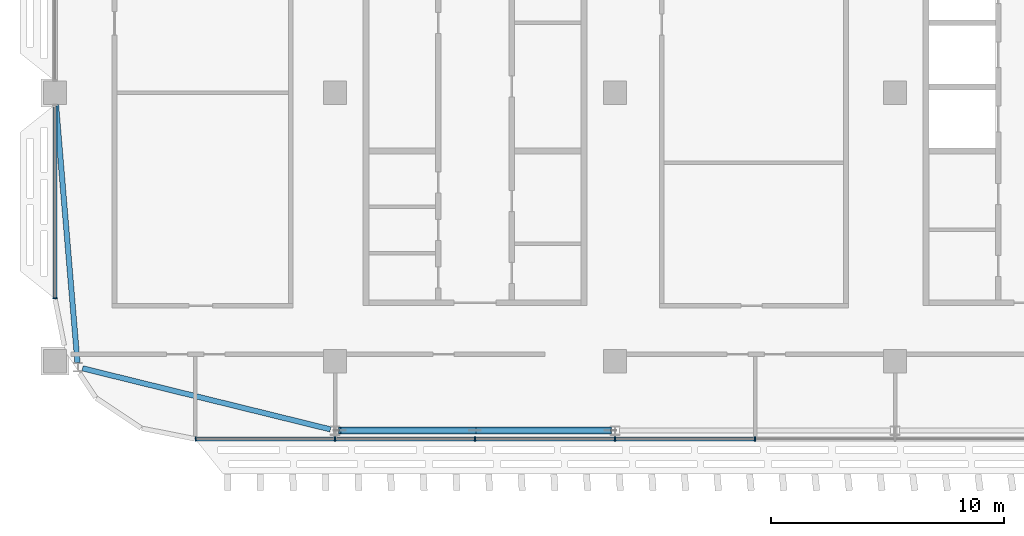
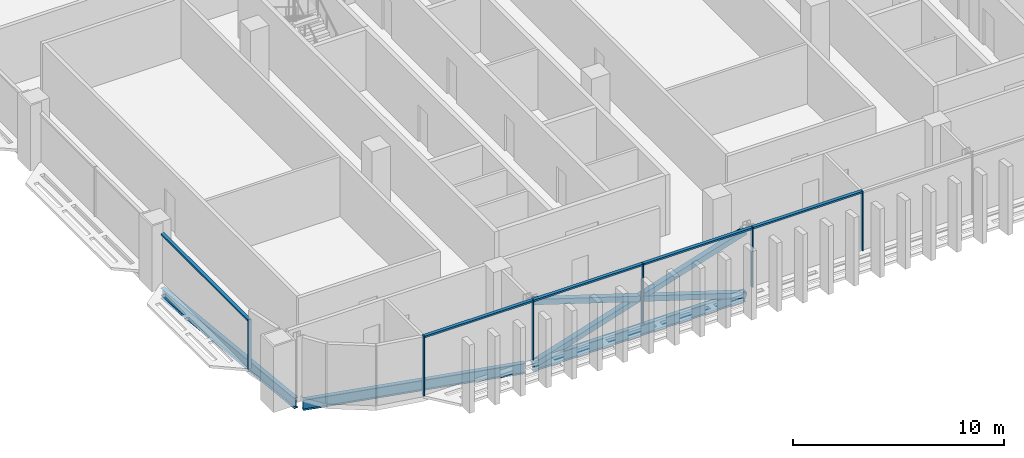
# One storey, part 5 of 35: 14 members, 3 beams, 2 elements without a shape of their own.
"""IFC4 building model written with IfcOpenShell, lengths in metres."""

from ifc_helpers import new_model, si_unit, direction, frame, origin, origin_2d, place, context, subcontext, project, spatial, rectangle, hollow_rectangle, i_section, extrude, material, material_profile, profile_set, type_object, element, aggregate, save


model = new_model("IFC4")

# Units and contexts
model_context = context("Model", 3, precision=1e-05, world=origin(), true_north=direction((0.0, 1.0)))
body_context = subcontext(model_context, "Body", "Model", "MODEL_VIEW")
ifc_project = project(units=[si_unit("LENGTHUNIT", "METRE"), si_unit("AREAUNIT", "SQUARE_METRE"), si_unit("VOLUMEUNIT", "CUBIC_METRE"), si_unit("PLANEANGLEUNIT", "RADIAN"), si_unit("MASSUNIT", "GRAM", prefix="KILO")], contexts=[model_context])

# Site, building, storey
site_placement = place(None, origin())
site = spatial("IfcSite", under=ifc_project, at=site_placement, CompositionType="ELEMENT")
building_placement = place(site_placement, origin())
building = spatial("IfcBuilding", under=site, at=building_placement, Name="Mahtab Terrace Research Tower", CompositionType="ELEMENT")
storey_placement = place(building_placement, frame((0.0, 0.0, 251.39990234375)))
storey = spatial("IfcBuildingStorey", under=building, at=storey_placement, Name="L61", CompositionType="ELEMENT", Elevation=251.39990234375)

# Members
ifc_material_1 = material(Name="Steel ASTM A500 Gr C", Category="steel")
ifc_material_profile_1 = material_profile(ifc_material_1, hollow_rectangle(XDim=0.3046875, YDim=0.3046875, WallThickness=0.015869140625, at=origin_2d()), Name="HSS12X12X5/8")
ifc_profile_set_1 = profile_set([ifc_material_profile_1], Name="Steel ASTM A500 Gr C")
member_type_1 = type_object("IfcMemberType", Name="HSS 12x12x5/8 brace XB121258", PredefinedType="BRACE", material=ifc_profile_set_1)
member_1_placement = place(storey_placement, frame((-29.800537109375, -14.472900390625, -0.580322265625), z_axis=(0.953338568311, 0.0, 0.301903252998), x_axis=(0.0, 1.0, 0.0)))
element("IfcMember", 1, at=member_1_placement, inside=storey, type_object=member_type_1, Name="Exoskeleton brace L61 13 a", PredefinedType="BRACE", context=body_context, shape_type="SweptSolid", body=[
    extrude(hollow_rectangle(XDim=0.3046875, YDim=0.3046875, WallThickness=0.015869140625, at=origin_2d()), origin(), (0.0, 0.0, 1.0), 12.1689453125),
])
for number, where, z_axis, x_axis, name in (
    (2, (-18.199462890625, -14.472900390625, -0.580322265625), (-0.953338568311, 0.0, 0.301903252998), (0.0, -1.0, 0.0), "Exoskeleton brace L61 13 b1"),
    (3, (-24.0, -14.472900390625, 1.256591796875), (-0.953338568311, 0.0, 0.301903252998), (0.0, -1.0, 0.0), "Exoskeleton brace L61 13 b2"),
):
    element("IfcMember", number, at=place(storey_placement, frame(where, z_axis=z_axis, x_axis=x_axis)), inside=storey, type_object=member_type_1, Name=name, PredefinedType="BRACE", context=body_context, shape_type="SweptSolid", body=[
        extrude(hollow_rectangle(XDim=0.3046875, YDim=0.3046875, WallThickness=0.015869140625, at=origin_2d()), origin(), (0.0, 0.0, 1.0), 6.08447265625),
    ])

# Curtain wall, member
ifc_material_2 = material(Name="Office ribbon curtain wall")
curtain_wall_type = type_object("IfcCurtainWallType", Name="Office ribbon curtain wall", PredefinedType="NOTDEFINED", material=ifc_material_2)
curtain_wall_1_placement = place(storey_placement, origin())
curtain_wall_1 = element("IfcCurtainWall", 4, at=curtain_wall_1_placement, inside=storey, type_object=curtain_wall_type, Name="EN.L61.8.12", PredefinedType="NOTDEFINED")
ifc_material_3 = material(Name="Natural anodised aluminium", Category="aluminium")
ifc_material_profile_2 = material_profile(ifc_material_3, rectangle(XDim=0.179931640625, YDim=0.06005859375, at=origin_2d()), Name="MULLION 60x180")
ifc_profile_set_2 = profile_set([ifc_material_profile_2], Name="Natural anodised aluminium")
member_type_2 = type_object("IfcMemberType", Name="Office ribbon curtain wall mullion", PredefinedType="MULLION", material=ifc_profile_set_2)
member_2_placement = place(storey_placement, frame((-42.0, -8.803955078125, 0.0), z_axis=(0.0, 0.0, 1.0), x_axis=(1.0, 0.0, 0.0)))
member_2 = element("IfcMember", 5, at=member_2_placement, type_object=member_type_2, Name="CWO-7 mullion 2", PredefinedType="MULLION", context=body_context, shape_type="SweptSolid", body=[
    extrude(rectangle(XDim=0.179931640625, YDim=0.06005859375, at=origin_2d()), origin(), (0.0, 0.0, 1.0), 2.85302734375),
])

# Curtain wall, members
curtain_wall_2_placement = place(storey_placement, origin())
curtain_wall_2 = element("IfcCurtainWall", 6, at=curtain_wall_2_placement, inside=storey, type_object=curtain_wall_type, Name="EN.L61.13.17", PredefinedType="NOTDEFINED")
member_3_placement = place(storey_placement, frame((-35.969970703125, -14.833984375, 0.0), z_axis=(0.0, 0.0, 1.0), x_axis=(0.0, 1.0, 0.0)))
member_3 = element("IfcMember", 7, at=member_3_placement, type_object=member_type_2, Name="CWO-7 mullion 1", PredefinedType="MULLION", context=body_context, shape_type="SweptSolid", body=[
    extrude(rectangle(XDim=0.179931640625, YDim=0.06005859375, at=origin_2d()), origin(), (0.0, 0.0, 1.0), 3.460205078125),
])
member_4_placement = place(storey_placement, frame((-30.0, -14.833984375, 0.0), z_axis=(0.0, 0.0, 1.0), x_axis=(0.0, 1.0, 0.0)))
member_4 = element("IfcMember", 8, at=member_4_placement, type_object=member_type_2, Name="CWO-7 mullion 2", PredefinedType="MULLION", context=body_context, shape_type="SweptSolid", body=[
    extrude(rectangle(XDim=0.179931640625, YDim=0.06005859375, at=origin_2d()), origin(), (0.0, 0.0, 1.0), 3.460205078125),
])
member_5_placement = place(storey_placement, frame((-24.0, -14.833984375, 0.0), z_axis=(0.0, 0.0, 1.0), x_axis=(0.0, 1.0, 0.0)))
member_5 = element("IfcMember", 9, at=member_5_placement, type_object=member_type_2, Name="CWO-7 mullion 3", PredefinedType="MULLION", context=body_context, shape_type="SweptSolid", body=[
    extrude(rectangle(XDim=0.179931640625, YDim=0.06005859375, at=origin_2d()), origin(), (0.0, 0.0, 1.0), 3.460205078125),
])
member_6_placement = place(storey_placement, frame((-18.0, -14.833984375, 0.0), z_axis=(0.0, 0.0, 1.0), x_axis=(0.0, 1.0, 0.0)))
member_6 = element("IfcMember", 10, at=member_6_placement, type_object=member_type_2, Name="CWO-7 mullion 4", PredefinedType="MULLION", context=body_context, shape_type="SweptSolid", body=[
    extrude(rectangle(XDim=0.179931640625, YDim=0.06005859375, at=origin_2d()), origin(), (0.0, 0.0, 1.0), 3.460205078125),
])
member_7_placement = place(storey_placement, frame((-12.0, -14.833984375, 0.0), z_axis=(0.0, 0.0, 1.0), x_axis=(0.0, 1.0, 0.0)))
member_7 = element("IfcMember", 11, at=member_7_placement, type_object=member_type_2, Name="CWO-7 mullion 5", PredefinedType="MULLION", context=body_context, shape_type="SweptSolid", body=[
    extrude(rectangle(XDim=0.179931640625, YDim=0.06005859375, at=origin_2d()), origin(), (0.0, 0.0, 1.0), 3.460205078125),
])

# Member
ifc_material_profile_3 = material_profile(ifc_material_3, rectangle(XDim=0.179931640625, YDim=0.10009765625, at=origin_2d()), Name="TRANSOM 100x180")
ifc_profile_set_3 = profile_set([ifc_material_profile_3], Name="Natural anodised aluminium")
member_type_3 = type_object("IfcMemberType", Name="Office ribbon curtain wall transom", PredefinedType="USERDEFINED", material=ifc_profile_set_3)
member_8_placement = place(storey_placement, frame((-42.0, -0.56005859375, 2.802978515625), z_axis=(0.0, -1.0, 0.0), x_axis=(1.0, 0.0, 0.0)))
member_8 = element("IfcMember", 12, at=member_8_placement, type_object=member_type_3, Name="CWO-7 transom 1", ObjectType="TRANSOM", PredefinedType="USERDEFINED", context=body_context, shape_type="SweptSolid", body=[
    extrude(rectangle(XDim=0.179931640625, YDim=0.10009765625, at=origin_2d()), origin(), (0.0, 0.0, 1.0), 8.2138671875),
])

aggregate(curtain_wall_1, [member_2, member_8])

member_9_placement = place(storey_placement, frame((-35.93994140625, -14.833984375, 3.41015625), z_axis=(1.0, 0.0, 0.0), x_axis=(0.0, 1.0, 0.0)))
member_9 = element("IfcMember", 13, at=member_9_placement, type_object=member_type_3, Name="CWO-7 transom 1", ObjectType="TRANSOM", PredefinedType="USERDEFINED", context=body_context, shape_type="SweptSolid", body=[
    extrude(rectangle(XDim=0.179931640625, YDim=0.10009765625, at=origin_2d()), origin(), (0.0, 0.0, 1.0), 5.909912109375),
])

member_10_placement = place(storey_placement, frame((-29.969970703125, -14.833984375, 3.41015625), z_axis=(1.0, 0.0, 0.0), x_axis=(0.0, 1.0, 0.0)))
member_10 = element("IfcMember", 14, at=member_10_placement, type_object=member_type_3, Name="CWO-7 transom 2", ObjectType="TRANSOM", PredefinedType="USERDEFINED", context=body_context, shape_type="SweptSolid", body=[
    extrude(rectangle(XDim=0.179931640625, YDim=0.10009765625, at=origin_2d()), origin(), (0.0, 0.0, 1.0), 5.93994140625),
])

member_11_placement = place(storey_placement, frame((-23.969970703125, -14.833984375, 3.41015625), z_axis=(1.0, 0.0, 0.0), x_axis=(0.0, 1.0, 0.0)))
member_11 = element("IfcMember", 15, at=member_11_placement, type_object=member_type_3, Name="CWO-7 transom 3", ObjectType="TRANSOM", PredefinedType="USERDEFINED", context=body_context, shape_type="SweptSolid", body=[
    extrude(rectangle(XDim=0.179931640625, YDim=0.10009765625, at=origin_2d()), origin(), (0.0, 0.0, 1.0), 5.93994140625),
])

member_12_placement = place(storey_placement, frame((-17.969970703125, -14.833984375, 3.41015625), z_axis=(1.0, 0.0, 0.0), x_axis=(0.0, 1.0, 0.0)))
member_12 = element("IfcMember", 16, at=member_12_placement, type_object=member_type_3, Name="CWO-7 transom 4", ObjectType="TRANSOM", PredefinedType="USERDEFINED", context=body_context, shape_type="SweptSolid", body=[
    extrude(rectangle(XDim=0.179931640625, YDim=0.10009765625, at=origin_2d()), origin(), (0.0, 0.0, 1.0), 5.93994140625),
])

aggregate(curtain_wall_2, [member_3, member_4, member_5, member_6, member_7, member_9, member_10, member_11, member_12])

# Beams
ifc_material_4 = material(Name="Steel ASTM A992 Gr 50", Category="steel")
ifc_material_profile_4 = material_profile(ifc_material_4, i_section(OverallWidth=0.228271484375, OverallDepth=0.607177734375, WebThickness=0.01123046875, FlangeThickness=0.017333984375, at=origin_2d()), Name="W24X76")
ifc_profile_set_4 = profile_set([ifc_material_profile_4], Name="Steel ASTM A992 Gr 50")
beam_type = type_object("IfcBeamType", Name="W24x76 beam BS2476", PredefinedType="BEAM", material=ifc_profile_set_4)
beam_1_placement = place(storey_placement, frame((-41.958251953125, -0.5, -0.6435546875), z_axis=(0.082961772462, -0.996552730321, 0.0), x_axis=(0.996552730321, 0.082961772462, 0.0)))
element("IfcBeam", 17, at=beam_1_placement, inside=storey, type_object=beam_type, Name="Spandrel beam L61 11", PredefinedType="BEAM", context=body_context, shape_type="SweptSolid", body=[
    extrude(i_section(OverallWidth=0.228271484375, OverallDepth=0.607177734375, WebThickness=0.01123046875, FlangeThickness=0.017333984375, at=origin_2d()), origin(), (0.0, 0.0, 1.0), 11.103271484375),
])
beam_2_placement = place(storey_placement, frame((-40.821533203125, -11.80712890625, -0.6435546875), z_axis=(0.970971673225, -0.239194502014, 0.0), x_axis=(0.239194502014, 0.970971673225, 0.0)))
element("IfcBeam", 18, at=beam_2_placement, inside=storey, type_object=beam_type, Name="Spandrel beam L61 12", PredefinedType="BEAM", context=body_context, shape_type="SweptSolid", body=[
    extrude(i_section(OverallWidth=0.228271484375, OverallDepth=0.607177734375, WebThickness=0.01123046875, FlangeThickness=0.017333984375, at=origin_2d()), origin(), (0.0, 0.0, 1.0), 10.939697265625),
])
beam_3_placement = place(storey_placement, frame((-29.800537109375, -14.472900390625, -0.6435546875), z_axis=(1.0, 0.0, 0.0), x_axis=(0.0, 1.0, 0.0)))
element("IfcBeam", 19, at=beam_3_placement, inside=storey, type_object=beam_type, Name="Spandrel beam L61 13", PredefinedType="BEAM", context=body_context, shape_type="SweptSolid", body=[
    extrude(i_section(OverallWidth=0.228271484375, OverallDepth=0.607177734375, WebThickness=0.01123046875, FlangeThickness=0.017333984375, at=origin_2d()), origin(), (0.0, 0.0, 1.0), 11.60107421875),
])

save(model, "model.ifc")
